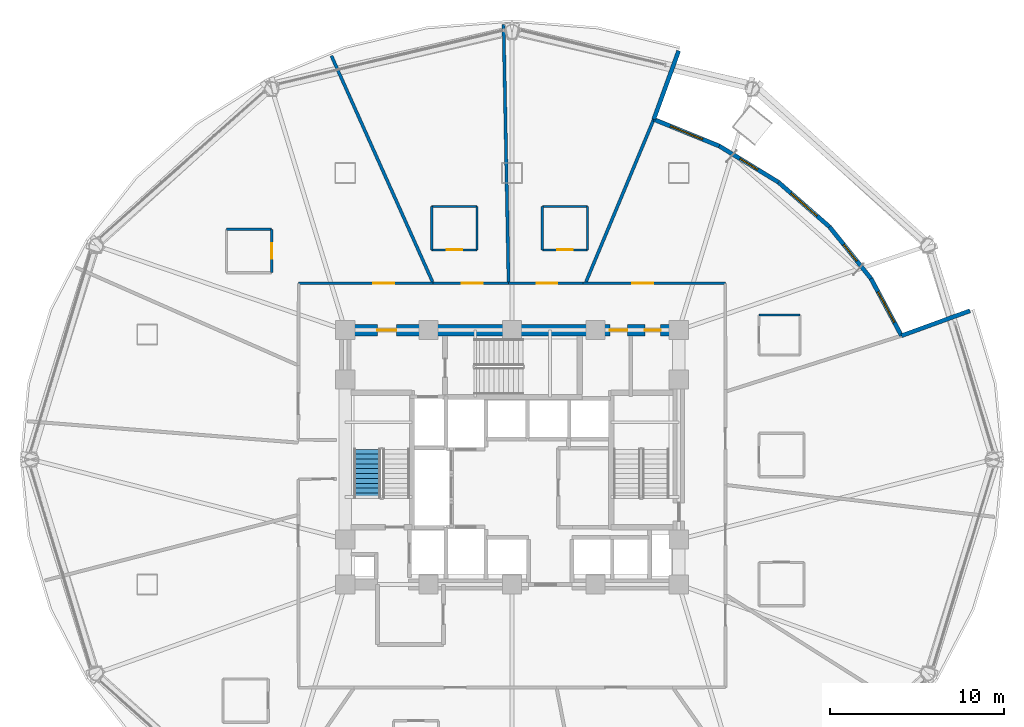
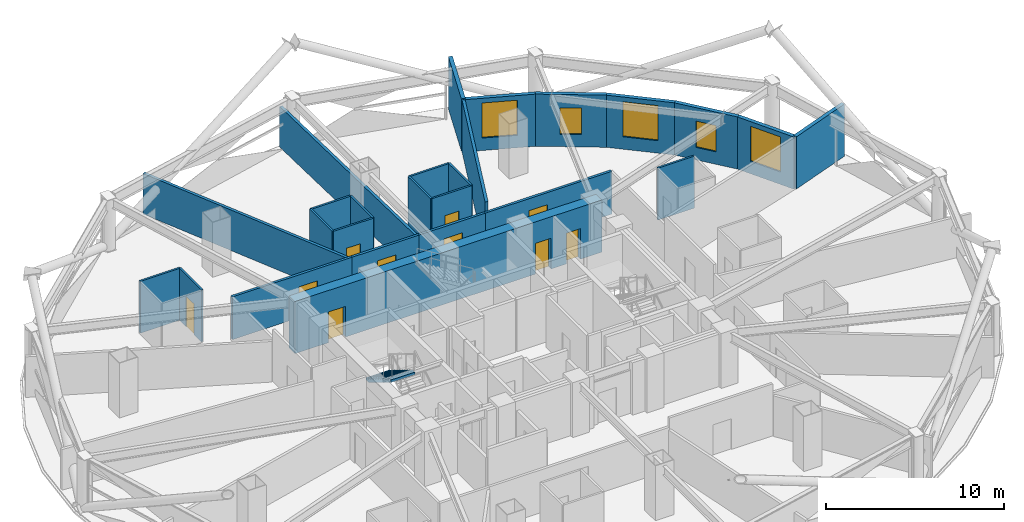
# One storey, part 27 of 33: 26 walls, 10 doors, 5 windows, 1 stair flight, 15 openings, 1 element without a shape of its own.
"""IFC4 building model written with IfcOpenShell, lengths in metres."""

from ifc_helpers import new_model, si_unit, direction, frame, frame_2d, origin, place, context, subcontext, project, spatial, polyline, rectangle, outline, extrude, material, layer, layer_set, type_object, element, fill, aggregate, save


model = new_model("IFC4")

# Units and contexts
model_context = context("Model", 3, precision=1e-05, world=origin(), true_north=direction((0.0, 1.0)))
body_context = subcontext(model_context, "Body", "Model", "MODEL_VIEW")
ifc_project = project(units=[si_unit("LENGTHUNIT", "METRE"), si_unit("AREAUNIT", "SQUARE_METRE"), si_unit("VOLUMEUNIT", "CUBIC_METRE"), si_unit("PLANEANGLEUNIT", "RADIAN"), si_unit("MASSUNIT", "GRAM", prefix="KILO")], contexts=[model_context])

# Site, building, storey
site_placement = place(None, origin())
site = spatial("IfcSite", under=ifc_project, at=site_placement, CompositionType="ELEMENT")
building_placement = place(site_placement, origin())
building = spatial("IfcBuilding", under=site, at=building_placement, Name="Vantalir Tower", CompositionType="ELEMENT")
storey_placement = place(building_placement, frame((0.0, 0.0, 72.0)))
storey = spatial("IfcBuildingStorey", under=building, at=storey_placement, Name="L17", CompositionType="ELEMENT", Elevation=72.0)

# Wall
ifc_material_1 = material(Name="Moisture-resistant en-suite partition", Category="gypsum")
ifc_layer_1 = layer(ifc_material_1, 0.125)
ifc_layer_set_1 = layer_set([ifc_layer_1], Name="Moisture-resistant en-suite partition")
wall_type_1 = type_object("IfcWallType", Name="WL-BATH-125", PredefinedType="PARTITIONING", material=ifc_layer_set_1)
wall_1_placement = place(storey_placement, frame((45.721923828125, 33.323974609375, 0.0), z_axis=(0.0, 0.0, 1.0), x_axis=(1.0, 0.0, 0.0)))
element("IfcWall", 1, at=wall_1_placement, inside=storey, type_object=wall_type_1, Name="L17 En-suite 01 North Wall", PredefinedType="PARTITIONING", context=body_context, shape_type="SweptSolid", body=[
    extrude(rectangle(XDim=2.35009765625, YDim=0.125, at=frame_2d((1.175048828125, 0.0))), origin(), (0.0, 0.0, 1.0), 3.550048828125),
])

# Wall, opening, door
wall_2_placement = place(storey_placement, frame((33.242919921875, 37.069091796875, 0.0), z_axis=(0.0, 0.0, 1.0), x_axis=(1.0, 0.0, 0.0)))
wall_2 = element("IfcWall", 2, at=wall_2_placement, inside=storey, type_object=wall_type_1, Name="L17 En-suite 02 South Wall", PredefinedType="PARTITIONING", context=body_context, shape_type="SweptSolid", body=[
    extrude(rectangle(XDim=2.60009765625, YDim=0.125, at=frame_2d((1.300048828125, 0.0))), origin(), (0.0, 0.0, 1.0), 3.550048828125),
])
opening_1_placement = place(wall_2_placement, frame((0.85009765625, 0.0, 0.0)))
opening_1 = element("IfcOpeningElement", 3, at=opening_1_placement, cuts=wall_2, Name="Opening D-WC", PredefinedType="OPENING", context=body_context, shape_type="SweptSolid", body=[
    extrude(rectangle(XDim=0.89990234375, YDim=2.10009765625, at=frame_2d((0.449951171875, 1.050048828125))), frame((0.0, 0.072509765625, 0.0), z_axis=(0.0, -1.0, 0.0), x_axis=(1.0, 0.0, 0.0)), (0.0, 0.0, 1.0), 0.14501953125),
])
ifc_material_2 = material(Name="Moisture-resistant hardwood door", Category="wood")
door_type_1 = type_object("IfcDoorType", Name="DR-ENSUITE-900", OperationType="NOTDEFINED", PredefinedType="DOOR", material=ifc_material_2)
door_1_placement = place(opening_1_placement, origin())
door_1 = element("IfcDoor", 4, at=door_1_placement, inside=storey, type_object=door_type_1, Name="L17 En-suite 02 Door", OperationType="SINGLE_SWING_RIGHT", OverallHeight=2.10009765625, OverallWidth=0.89990234375, PredefinedType="DOOR", context=body_context, shape_type="SweptSolid", body=[
    extrude(rectangle(XDim=0.89990234375, YDim=2.10009765625, at=frame_2d((0.449951171875, 1.050048828125))), frame((0.0, 0.02490234375, 0.0), z_axis=(0.0, -1.0, 0.0), x_axis=(1.0, 0.0, 0.0)), (0.0, 0.0, 1.0), 0.050048828125),
])
fill(opening_1, door_1)

# Walls
wall_3_placement = place(storey_placement, frame((33.242919921875, 39.569091796875, 0.0), z_axis=(0.0, 0.0, 1.0), x_axis=(1.0, 0.0, 0.0)))
element("IfcWall", 5, at=wall_3_placement, inside=storey, type_object=wall_type_1, Name="L17 En-suite 02 North Wall", PredefinedType="PARTITIONING", context=body_context, shape_type="SweptSolid", body=[
    extrude(rectangle(XDim=2.60009765625, YDim=0.125, at=frame_2d((1.300048828125, 0.0))), origin(), (0.0, 0.0, 1.0), 3.550048828125),
])
for number, where, z_axis, x_axis, name in (
    (6, (33.242919921875, 37.069091796875, 0.0), (0.0, 0.0, 1.0), (0.0, 1.0, 0.0), "L17 En-suite 02 West Wall"),
    (7, (35.843017578125, 37.069091796875, 0.0), (0.0, 0.0, 1.0), (0.0, 1.0, 0.0), "L17 En-suite 02 East Wall"),
):
    element("IfcWall", number, at=place(storey_placement, frame(where, z_axis=z_axis, x_axis=x_axis)), inside=storey, type_object=wall_type_1, Name=name, PredefinedType="PARTITIONING", context=body_context, shape_type="SweptSolid", body=[
        extrude(rectangle(XDim=2.5, YDim=0.125, at=frame_2d((1.25, 0.0))), origin(), (0.0, 0.0, 1.0), 3.550048828125),
    ])

# Wall, opening, door
wall_4_placement = place(storey_placement, frame((26.8798828125, 37.069091796875, 0.0), z_axis=(0.0, 0.0, 1.0), x_axis=(1.0, 0.0, 0.0)))
wall_4 = element("IfcWall", 8, at=wall_4_placement, inside=storey, type_object=wall_type_1, Name="L17 En-suite 03 South Wall", PredefinedType="PARTITIONING", context=body_context, shape_type="SweptSolid", body=[
    extrude(rectangle(XDim=2.60009765625, YDim=0.125, at=frame_2d((1.300048828125, 0.0))), origin(), (0.0, 0.0, 1.0), 3.550048828125),
])
opening_2_placement = place(wall_4_placement, frame((0.85009765625, 0.0, 0.0)))
opening_2 = element("IfcOpeningElement", 9, at=opening_2_placement, cuts=wall_4, Name="Opening D-WC", PredefinedType="OPENING", context=body_context, shape_type="SweptSolid", body=[
    extrude(rectangle(XDim=0.89990234375, YDim=2.10009765625, at=frame_2d((0.449951171875, 1.050048828125))), frame((0.0, 0.072509765625, 0.0), z_axis=(0.0, -1.0, 0.0), x_axis=(1.0, 0.0, 0.0)), (0.0, 0.0, 1.0), 0.14501953125),
])
door_2_placement = place(opening_2_placement, origin())
door_2 = element("IfcDoor", 10, at=door_2_placement, inside=storey, type_object=door_type_1, Name="L17 En-suite 03 Door", OperationType="SINGLE_SWING_LEFT", OverallHeight=2.10009765625, OverallWidth=0.89990234375, PredefinedType="DOOR", context=body_context, shape_type="SweptSolid", body=[
    extrude(rectangle(XDim=0.89990234375, YDim=2.10009765625, at=frame_2d((0.449951171875, 1.050048828125))), frame((0.0, 0.02490234375, 0.0), z_axis=(0.0, -1.0, 0.0), x_axis=(1.0, 0.0, 0.0)), (0.0, 0.0, 1.0), 0.050048828125),
])
fill(opening_2, door_2)

# Walls
wall_5_placement = place(storey_placement, frame((26.8798828125, 39.569091796875, 0.0), z_axis=(0.0, 0.0, 1.0), x_axis=(1.0, 0.0, 0.0)))
element("IfcWall", 11, at=wall_5_placement, inside=storey, type_object=wall_type_1, Name="L17 En-suite 03 North Wall", PredefinedType="PARTITIONING", context=body_context, shape_type="SweptSolid", body=[
    extrude(rectangle(XDim=2.60009765625, YDim=0.125, at=frame_2d((1.300048828125, 0.0))), origin(), (0.0, 0.0, 1.0), 3.550048828125),
])
for number, where, z_axis, x_axis, name in (
    (12, (26.8798828125, 37.069091796875, 0.0), (0.0, 0.0, 1.0), (0.0, 1.0, 0.0), "L17 En-suite 03 West Wall"),
    (13, (29.47998046875, 37.069091796875, 0.0), (0.0, 0.0, 1.0), (0.0, 1.0, 0.0), "L17 En-suite 03 East Wall"),
):
    element("IfcWall", number, at=place(storey_placement, frame(where, z_axis=z_axis, x_axis=x_axis)), inside=storey, type_object=wall_type_1, Name=name, PredefinedType="PARTITIONING", context=body_context, shape_type="SweptSolid", body=[
        extrude(rectangle(XDim=2.5, YDim=0.125, at=frame_2d((1.25, 0.0))), origin(), (0.0, 0.0, 1.0), 3.550048828125),
    ])
wall_6_placement = place(storey_placement, frame((15.06591796875, 38.2548828125, 0.0), z_axis=(0.0, 0.0, 1.0), x_axis=(1.0, 0.0, 0.0)))
element("IfcWall", 14, at=wall_6_placement, inside=storey, type_object=wall_type_1, Name="L17 En-suite 04 North Wall", PredefinedType="PARTITIONING", context=body_context, shape_type="SweptSolid", body=[
    extrude(rectangle(XDim=2.60009765625, YDim=0.125, at=frame_2d((1.300048828125, 0.0))), origin(), (0.0, 0.0, 1.0), 3.550048828125),
])

# Wall, opening, door
wall_7_placement = place(storey_placement, frame((17.666015625, 35.7548828125, 0.0), z_axis=(0.0, 0.0, 1.0), x_axis=(0.0, 1.0, 0.0)))
wall_7 = element("IfcWall", 15, at=wall_7_placement, inside=storey, type_object=wall_type_1, Name="L17 En-suite 04 East Wall", PredefinedType="PARTITIONING", context=body_context, shape_type="SweptSolid", body=[
    extrude(rectangle(XDim=2.5, YDim=0.125, at=frame_2d((1.25, 0.0))), origin(), (0.0, 0.0, 1.0), 3.550048828125),
])
opening_3_placement = place(wall_7_placement, frame((0.800048828125, 0.0, 0.0)))
opening_3 = element("IfcOpeningElement", 16, at=opening_3_placement, cuts=wall_7, Name="Opening D-WC", PredefinedType="OPENING", context=body_context, shape_type="SweptSolid", body=[
    extrude(rectangle(XDim=0.89990234375, YDim=2.10009765625, at=frame_2d((0.449951171875, 1.050048828125))), frame((0.0, 0.072509765625, 0.0), z_axis=(0.0, -1.0, 0.0), x_axis=(1.0, 0.0, 0.0)), (0.0, 0.0, 1.0), 0.14501953125),
])
door_3_placement = place(opening_3_placement, origin())
door_3 = element("IfcDoor", 17, at=door_3_placement, inside=storey, type_object=door_type_1, Name="L17 En-suite 04 Door", OperationType="SINGLE_SWING_RIGHT", OverallHeight=2.10009765625, OverallWidth=0.89990234375, PredefinedType="DOOR", context=body_context, shape_type="SweptSolid", body=[
    extrude(rectangle(XDim=0.89990234375, YDim=2.10009765625, at=frame_2d((0.449951171875, 1.050048828125))), frame((0.0, 0.02490234375, 0.0), z_axis=(0.0, -1.0, 0.0), x_axis=(1.0, 0.0, 0.0)), (0.0, 0.0, 1.0), 0.050048828125),
])
fill(opening_3, door_3)

# Wall, openings, doors
ifc_material_3 = material(Name="Concrete C60/75", Category="concrete")
ifc_layer_2 = layer(ifc_material_3, 0.64990234375)
ifc_layer_set_2 = layer_set([ifc_layer_2], Name="Concrete C60/75")
wall_type_2 = type_object("IfcWallType", Name="WL-CORE-650", PredefinedType="SHEAR", material=ifc_layer_set_2)
wall_8_placement = place(storey_placement, frame((21.574951171875, 32.449951171875, 0.0), z_axis=(0.0, 0.0, 1.0), x_axis=(1.0, 0.0, 0.0)))
wall_8 = element("IfcWall", 18, at=wall_8_placement, inside=storey, type_object=wall_type_2, Name="L17 Core Shear Wall North", PredefinedType="SHEAR", context=body_context, shape_type="SweptSolid", body=[
    extrude(rectangle(XDim=19.85009765625, YDim=0.64990234375, at=frame_2d((9.925048828125, 0.0))), origin(), (0.0, 0.0, 1.0), 3.570068359375),
])
opening_4_placement = place(wall_8_placement, frame((2.175048828125, 0.0, 0.0)))
opening_4 = element("IfcOpeningElement", 19, at=opening_4_placement, cuts=wall_8, Name="Opening D-FFL", PredefinedType="OPENING", context=body_context, shape_type="SweptSolid", body=[
    extrude(rectangle(XDim=1.10009765625, YDim=2.10009765625, at=frame_2d((0.550048828125, 1.050048828125))), frame((0.0, 0.3349609375, 0.0), z_axis=(0.0, -1.0, 0.0), x_axis=(1.0, 0.0, 0.0)), (0.0, 0.0, 1.0), 0.669921875),
])
opening_5_placement = place(wall_8_placement, frame((15.56494140625, 0.0, 0.0)))
opening_5 = element("IfcOpeningElement", 20, at=opening_5_placement, cuts=wall_8, Name="Opening D-GUEST", PredefinedType="OPENING", context=body_context, shape_type="SweptSolid", body=[
    extrude(rectangle(XDim=1.0, YDim=2.10009765625, at=frame_2d((0.5, 1.050048828125))), frame((0.0, 0.3349609375, 0.0), z_axis=(0.0, -1.0, 0.0), x_axis=(1.0, 0.0, 0.0)), (0.0, 0.0, 1.0), 0.669921875),
])
opening_6_placement = place(wall_8_placement, frame((17.574951171875, 0.0, 0.0)))
opening_6 = element("IfcOpeningElement", 21, at=opening_6_placement, cuts=wall_8, Name="Opening D-CR", PredefinedType="OPENING", context=body_context, shape_type="SweptSolid", body=[
    extrude(rectangle(XDim=0.89990234375, YDim=2.10009765625, at=frame_2d((0.449951171875, 1.050048828125))), frame((0.0, 0.3349609375, 0.0), z_axis=(0.0, -1.0, 0.0), x_axis=(1.0, 0.0, 0.0)), (0.0, 0.0, 1.0), 0.669921875),
])
ifc_material_4 = material(Name="Fire-rated steel core service door", Category="steel")
door_type_2 = type_object("IfcDoorType", Name="DR-CORE-SERV-900", OperationType="NOTDEFINED", PredefinedType="DOOR", material=ifc_material_4)
door_4_placement = place(opening_6_placement, frame((0.89990234375, 0.0, 0.0), z_axis=(0.0, 0.0, 1.0), x_axis=(-1.0, 0.0, 0.0)))
door_4 = element("IfcDoor", 22, at=door_4_placement, inside=storey, type_object=door_type_2, Name="L17 Housekeeping and Linen Room Door", OperationType="SINGLE_SWING_RIGHT", OverallHeight=2.10009765625, OverallWidth=0.89990234375, PredefinedType="DOOR", context=body_context, shape_type="SweptSolid", body=[
    extrude(rectangle(XDim=0.89990234375, YDim=2.10009765625, at=frame_2d((0.449951171875, 1.050048828125))), frame((0.0, 0.02490234375, 0.0), z_axis=(0.0, -1.0, 0.0), x_axis=(1.0, 0.0, 0.0)), (0.0, 0.0, 1.0), 0.050048828125),
])
fill(opening_6, door_4)
ifc_material_5 = material(Name="Fire-rated acoustic steel door", Category="steel")
door_type_3 = type_object("IfcDoorType", Name="DR-FIRE-LOBBY-1100", OperationType="NOTDEFINED", PredefinedType="DOOR", material=ifc_material_5)
door_5_placement = place(opening_4_placement, frame((1.10009765625, 0.0, 0.0), z_axis=(0.0, 0.0, 1.0), x_axis=(-1.0, 0.0, 0.0)))
door_5 = element("IfcDoor", 23, at=door_5_placement, inside=storey, type_object=door_type_3, Name="L17 Firefighting Lobby East Access Door", OperationType="SINGLE_SWING_LEFT", OverallHeight=2.10009765625, OverallWidth=1.10009765625, PredefinedType="DOOR", context=body_context, shape_type="SweptSolid", body=[
    extrude(rectangle(XDim=1.10009765625, YDim=2.10009765625, at=frame_2d((0.550048828125, 1.050048828125))), frame((0.0, 0.02490234375, 0.0), z_axis=(0.0, -1.0, 0.0), x_axis=(1.0, 0.0, 0.0)), (0.0, 0.0, 1.0), 0.050048828125),
])
fill(opening_4, door_5)
ifc_material_6 = material(Name="Solid-core teak veneer acoustic fire door", Category="wood")
door_type_4 = type_object("IfcDoorType", Name="DR-GUEST-ENTRY-1000", OperationType="NOTDEFINED", PredefinedType="DOOR", material=ifc_material_6)
door_6_placement = place(opening_5_placement, frame((1.0, 0.0, 0.0), z_axis=(0.0, 0.0, 1.0), x_axis=(-1.0, 0.0, 0.0)))
door_6 = element("IfcDoor", 24, at=door_6_placement, inside=storey, type_object=door_type_4, Name="L17 High-Rise Lift Lobby Door", OperationType="SINGLE_SWING_LEFT", OverallHeight=2.10009765625, OverallWidth=1.0, PredefinedType="DOOR", context=body_context, shape_type="SweptSolid", body=[
    extrude(rectangle(XDim=1.0, YDim=2.10009765625, at=frame_2d((0.5, 1.050048828125))), frame((0.0, 0.02490234375, 0.0), z_axis=(0.0, -1.0, 0.0), x_axis=(1.0, 0.0, 0.0)), (0.0, 0.0, 1.0), 0.050048828125),
])
fill(opening_5, door_6)

# Wall, opening, door
ifc_material_7 = material(Name="Fire-rated hotel corridor acoustic partition", Category="gypsum")
ifc_layer_3 = layer(ifc_material_7, 0.159912109375)
ifc_layer_set_3 = layer_set([ifc_layer_3], Name="Fire-rated hotel corridor acoustic partition")
wall_type_3 = type_object("IfcWallType", Name="WL-CORR-160", PredefinedType="PARTITIONING", material=ifc_layer_set_3)
wall_9_placement = place(storey_placement, frame((19.218994140625, 35.14794921875, 0.0), z_axis=(0.0, 0.0, 1.0), x_axis=(1.0, 0.0, 0.0)))
wall_9 = element("IfcWall", 25, at=wall_9_placement, inside=storey, type_object=wall_type_3, Name="L17 Corridor Partition 04", PredefinedType="PARTITIONING", context=body_context, shape_type="SweptSolid", body=[
    extrude(rectangle(XDim=7.740966796875, YDim=0.159912109375, at=frame_2d((3.87060546875, 0.0))), origin(), (0.0, 0.0, 1.0), 2.927978515625),
])
opening_7_placement = place(wall_9_placement, frame((4.306884765625, 0.0, 0.0)))
opening_7 = element("IfcOpeningElement", 26, at=opening_7_placement, cuts=wall_9, Name="Opening D-STE", PredefinedType="OPENING", context=body_context, shape_type="SweptSolid", body=[
    extrude(rectangle(XDim=1.199951171875, YDim=2.10009765625, at=frame_2d((0.60009765625, 1.050048828125))), frame((0.0, 0.08984375, 0.0), z_axis=(0.0, -1.0, 0.0), x_axis=(1.0, 0.0, 0.0)), (0.0, 0.0, 1.0), 0.179931640625),
])
ifc_material_8 = material(Name="Solid-core teak veneer suite entrance door", Category="wood")
door_type_5 = type_object("IfcDoorType", Name="DR-SUITE-ENTRY-1200", OperationType="NOTDEFINED", PredefinedType="DOOR", material=ifc_material_8)
door_7_placement = place(opening_7_placement, origin())
door_7 = element("IfcDoor", 27, at=door_7_placement, inside=storey, type_object=door_type_5, Name="L17 Executive Club Hotel Suite 04 Door", OperationType="SINGLE_SWING_RIGHT", OverallHeight=2.10009765625, OverallWidth=1.199951171875, PredefinedType="DOOR", context=body_context, shape_type="SweptSolid", body=[
    extrude(rectangle(XDim=1.199951171875, YDim=2.10009765625, at=frame_2d((0.60009765625, 1.050048828125))), frame((0.0, 0.02490234375, 0.0), z_axis=(0.0, -1.0, 0.0), x_axis=(1.0, 0.0, 0.0)), (0.0, 0.0, 1.0), 0.050048828125),
])
fill(opening_7, door_7)

wall_10_placement = place(storey_placement, frame((26.9599609375, 35.14794921875, 0.0), z_axis=(0.0, 0.0, 1.0), x_axis=(1.0, 0.0, 0.0)))
wall_10 = element("IfcWall", 28, at=wall_10_placement, inside=storey, type_object=wall_type_3, Name="L17 Corridor Partition 05", PredefinedType="PARTITIONING", context=body_context, shape_type="SweptSolid", body=[
    extrude(rectangle(XDim=4.343994140625, YDim=0.159912109375, at=frame_2d((2.171875, 0.0))), origin(), (0.0, 0.0, 1.0), 2.927978515625),
])
opening_8_placement = place(wall_10_placement, frame((1.64599609375, 0.0, 0.0)))
opening_8 = element("IfcOpeningElement", 29, at=opening_8_placement, cuts=wall_10, Name="Opening D-STE", PredefinedType="OPENING", context=body_context, shape_type="SweptSolid", body=[
    extrude(rectangle(XDim=1.199951171875, YDim=2.10009765625, at=frame_2d((0.60009765625, 1.050048828125))), frame((0.0, 0.08984375, 0.0), z_axis=(0.0, -1.0, 0.0), x_axis=(1.0, 0.0, 0.0)), (0.0, 0.0, 1.0), 0.179931640625),
])
door_8_placement = place(opening_8_placement, origin())
door_8 = element("IfcDoor", 30, at=door_8_placement, inside=storey, type_object=door_type_5, Name="L17 Executive Club Hotel Suite 03 Door", OperationType="SINGLE_SWING_LEFT", OverallHeight=2.10009765625, OverallWidth=1.199951171875, PredefinedType="DOOR", context=body_context, shape_type="SweptSolid", body=[
    extrude(rectangle(XDim=1.199951171875, YDim=2.10009765625, at=frame_2d((0.60009765625, 1.050048828125))), frame((0.0, 0.02490234375, 0.0), z_axis=(0.0, -1.0, 0.0), x_axis=(1.0, 0.0, 0.0)), (0.0, 0.0, 1.0), 0.050048828125),
])
fill(opening_8, door_8)

wall_11_placement = place(storey_placement, frame((31.303955078125, 35.14794921875, 0.0), z_axis=(0.0, 0.0, 1.0), x_axis=(1.0, 0.0, 0.0)))
wall_11 = element("IfcWall", 31, at=wall_11_placement, inside=storey, type_object=wall_type_3, Name="L17 Corridor Partition 06", PredefinedType="PARTITIONING", context=body_context, shape_type="SweptSolid", body=[
    extrude(rectangle(XDim=4.28515625, YDim=0.159912109375, at=frame_2d((2.142578125, 0.0))), origin(), (0.0, 0.0, 1.0), 2.927978515625),
])
opening_9_placement = place(wall_11_placement, frame((1.614990234375, 0.0, 0.0)))
opening_9 = element("IfcOpeningElement", 32, at=opening_9_placement, cuts=wall_11, Name="Opening D-STE", PredefinedType="OPENING", context=body_context, shape_type="SweptSolid", body=[
    extrude(rectangle(XDim=1.199951171875, YDim=2.10009765625, at=frame_2d((0.60009765625, 1.050048828125))), frame((0.0, 0.08984375, 0.0), z_axis=(0.0, -1.0, 0.0), x_axis=(1.0, 0.0, 0.0)), (0.0, 0.0, 1.0), 0.179931640625),
])
door_9_placement = place(opening_9_placement, origin())
door_9 = element("IfcDoor", 33, at=door_9_placement, inside=storey, type_object=door_type_5, Name="L17 Corner Panorama Hotel Suite 02 Door", OperationType="SINGLE_SWING_RIGHT", OverallHeight=2.10009765625, OverallWidth=1.199951171875, PredefinedType="DOOR", context=body_context, shape_type="SweptSolid", body=[
    extrude(rectangle(XDim=1.199951171875, YDim=2.10009765625, at=frame_2d((0.60009765625, 1.050048828125))), frame((0.0, 0.02490234375, 0.0), z_axis=(0.0, -1.0, 0.0), x_axis=(1.0, 0.0, 0.0)), (0.0, 0.0, 1.0), 0.050048828125),
])
fill(opening_9, door_9)

wall_12_placement = place(storey_placement, frame((35.589111328125, 35.14794921875, 0.0), z_axis=(0.0, 0.0, 1.0), x_axis=(1.0, 0.0, 0.0)))
wall_12 = element("IfcWall", 34, at=wall_12_placement, inside=storey, type_object=wall_type_3, Name="L17 Corridor Partition 07", PredefinedType="PARTITIONING", context=body_context, shape_type="SweptSolid", body=[
    extrude(rectangle(XDim=8.19189453125, YDim=0.159912109375, at=frame_2d((4.095947265625, 0.0))), origin(), (0.0, 0.0, 1.0), 2.927978515625),
])
opening_10_placement = place(wall_12_placement, frame((2.8291015625, 0.0, 0.0)))
opening_10 = element("IfcOpeningElement", 35, at=opening_10_placement, cuts=wall_12, Name="Opening D-STE", PredefinedType="OPENING", context=body_context, shape_type="SweptSolid", body=[
    extrude(rectangle(XDim=1.199951171875, YDim=2.10009765625, at=frame_2d((0.60009765625, 1.050048828125))), frame((0.0, 0.08984375, 0.0), z_axis=(0.0, -1.0, 0.0), x_axis=(1.0, 0.0, 0.0)), (0.0, 0.0, 1.0), 0.179931640625),
])
door_10_placement = place(opening_10_placement, origin())
door_10 = element("IfcDoor", 36, at=door_10_placement, inside=storey, type_object=door_type_5, Name="L17 Corner Panorama Hotel Suite 01 Door", OperationType="SINGLE_SWING_LEFT", OverallHeight=2.10009765625, OverallWidth=1.199951171875, PredefinedType="DOOR", context=body_context, shape_type="SweptSolid", body=[
    extrude(rectangle(XDim=1.199951171875, YDim=2.10009765625, at=frame_2d((0.60009765625, 1.050048828125))), frame((0.0, 0.02490234375, 0.0), z_axis=(0.0, -1.0, 0.0), x_axis=(1.0, 0.0, 0.0)), (0.0, 0.0, 1.0), 0.050048828125),
])
fill(opening_10, door_10)

# Walls
ifc_material_9 = material(Name="Precast concrete C40/50 insulated sky-garden wall", Category="concrete")
ifc_layer_4 = layer(ifc_material_9, 0.239990234375)
ifc_layer_set_4 = layer_set([ifc_layer_4], Name="Precast concrete C40/50 insulated sky-garden wall")
wall_type_4 = type_object("IfcWallType", Name="WL-EXT-SG-240", PredefinedType="SOLIDWALL", material=ifc_layer_set_4)
wall_13_placement = place(storey_placement, frame((57.867919921875, 33.56396484375, 0.0), z_axis=(0.0, 0.0, 1.0), x_axis=(-0.939660987195, -0.342107043399, 0.0)))
element("IfcWall", 37, at=wall_13_placement, inside=storey, type_object=wall_type_4, Name="L17 SG1 Sky-Garden Return Wall A", PredefinedType="SOLIDWALL", context=body_context, shape_type="SweptSolid", body=[
    extrude(rectangle(XDim=4.200439453125, YDim=0.239990234375, at=frame_2d((2.10009765625, 0.0))), origin(), (0.0, 0.0, 1.0), 3.570068359375),
])
wall_14_placement = place(storey_placement, frame((39.660888671875, 44.58203125, 0.0), z_axis=(0.0, 0.0, 1.0), x_axis=(0.341901740091, 0.939735707592, 0.0)))
element("IfcWall", 38, at=wall_14_placement, inside=storey, type_object=wall_type_4, Name="L17 SG1 Sky-Garden Return Wall B", PredefinedType="SOLIDWALL", context=body_context, shape_type="SweptSolid", body=[
    extrude(rectangle(XDim=4.2001953125, YDim=0.239990234375, at=frame_2d((2.10009765625, 0.0))), origin(), (0.0, 0.0, 1.0), 3.570068359375),
])

# Wall, opening, window
wall_15_placement = place(storey_placement, frame((53.9208984375, 32.126953125, 0.0), z_axis=(0.0, 0.0, 1.0), x_axis=(-0.471022801321, 0.88212103514, 0.0)))
wall_15 = element("IfcWall", 39, at=wall_15_placement, inside=storey, type_object=wall_type_4, Name="L17 SG1 Sky-Garden Lounge Wall 1", PredefinedType="SOLIDWALL", context=body_context, shape_type="SweptSolid", body=[
    extrude(rectangle(XDim=3.73193359375, YDim=0.239990234375, at=frame_2d((1.865966796875, 0.0))), origin(), (0.0, 0.0, 1.0), 3.570068359375),
])
opening_11_placement = place(wall_15_placement, frame((0.865966796875, 0.0, 0.85009765625)))
opening_11 = element("IfcOpeningElement", 40, at=opening_11_placement, cuts=wall_15, Name="Opening WN-3", PredefinedType="OPENING", context=body_context, shape_type="SweptSolid", body=[
    extrude(rectangle(XDim=2.0, YDim=2.39990234375, at=frame_2d((1.0, 1.199951171875))), frame((0.0, 0.1298828125, 0.0), z_axis=(0.0, -1.0, 0.0), x_axis=(1.0, 0.0, 0.0)), (0.0, 0.0, 1.0), 0.260009765625),
])
ifc_material_10 = material(Name="Double-silver Low-E sky-garden lounge window", Category="glass")
window_type_1 = type_object("IfcWindowType", Name="WIN-SG-2000x2400", PartitioningType="SINGLE_PANEL", PredefinedType="WINDOW", material=ifc_material_10)
window_1_placement = place(opening_11_placement, origin())
window_1 = element("IfcWindow", 41, at=window_1_placement, inside=storey, type_object=window_type_1, Name="L17 SG1 Sky-Garden Window 1", OverallHeight=2.39990234375, OverallWidth=2.0, PartitioningType="SINGLE_PANEL", PredefinedType="WINDOW", context=body_context, shape_type="SweptSolid", body=[
    extrude(rectangle(XDim=2.0, YDim=2.39990234375, at=frame_2d((1.0, 1.199951171875))), frame((0.0, 0.030029296875, 0.0), z_axis=(0.0, -1.0, 0.0), x_axis=(1.0, 0.0, 0.0)), (0.0, 0.0, 1.0), 0.06005859375),
])
fill(opening_11, window_1)

wall_16_placement = place(storey_placement, frame((52.1630859375, 35.4189453125, 0.0), z_axis=(0.0, 0.0, 1.0), x_axis=(-0.625358387722, 0.780337674924, 0.0)))
wall_16 = element("IfcWall", 42, at=wall_16_placement, inside=storey, type_object=wall_type_4, Name="L17 SG1 Sky-Garden Lounge Wall 2", PredefinedType="SOLIDWALL", context=body_context, shape_type="SweptSolid", body=[
    extrude(rectangle(XDim=3.813720703125, YDim=0.239990234375, at=frame_2d((1.90673828125, 0.0))), origin(), (0.0, 0.0, 1.0), 3.570068359375),
])
opening_12_placement = place(wall_16_placement, frame((1.306884765625, 0.0, 0.85009765625)))
opening_12 = element("IfcOpeningElement", 43, at=opening_12_placement, cuts=wall_16, Name="Opening WN-4", PredefinedType="OPENING", context=body_context, shape_type="SweptSolid", body=[
    extrude(rectangle(XDim=1.199951171875, YDim=1.800048828125, at=frame_2d((0.60009765625, 0.89990234375))), frame((0.0, 0.1298828125, 0.0), z_axis=(0.0, -1.0, 0.0), x_axis=(1.0, 0.0, 0.0)), (0.0, 0.0, 1.0), 0.260009765625),
])
ifc_material_11 = material(Name="Operable smoke-vent Low-E window", Category="glass")
window_type_2 = type_object("IfcWindowType", Name="WIN-SG-1200x1800", PartitioningType="SINGLE_PANEL", PredefinedType="WINDOW", material=ifc_material_11)
window_2_placement = place(opening_12_placement, origin())
window_2 = element("IfcWindow", 44, at=window_2_placement, inside=storey, type_object=window_type_2, Name="L17 SG1 Sky-Garden Window 2", OverallHeight=1.800048828125, OverallWidth=1.199951171875, PartitioningType="SINGLE_PANEL", PredefinedType="WINDOW", context=body_context, shape_type="SweptSolid", body=[
    extrude(rectangle(XDim=1.199951171875, YDim=1.800048828125, at=frame_2d((0.60009765625, 0.89990234375))), frame((0.0, 0.030029296875, 0.0), z_axis=(0.0, -1.0, 0.0), x_axis=(1.0, 0.0, 0.0)), (0.0, 0.0, 1.0), 0.06005859375),
])
fill(opening_12, window_2)

wall_17_placement = place(storey_placement, frame((49.778076171875, 38.39501953125, 0.0), z_axis=(0.0, 0.0, 1.0), x_axis=(-0.753137964346, 0.657862604699, 0.0)))
wall_17 = element("IfcWall", 45, at=wall_17_placement, inside=storey, type_object=wall_type_4, Name="L17 SG1 Sky-Garden Lounge Wall 3", PredefinedType="SOLIDWALL", context=body_context, shape_type="SweptSolid", body=[
    extrude(rectangle(XDim=3.9052734375, YDim=0.239990234375, at=frame_2d((1.95263671875, 0.0))), origin(), (0.0, 0.0, 1.0), 3.570068359375),
])
opening_13_placement = place(wall_17_placement, frame((0.952880859375, 0.0, 0.85009765625)))
opening_13 = element("IfcOpeningElement", 46, at=opening_13_placement, cuts=wall_17, Name="Opening WN-3", PredefinedType="OPENING", context=body_context, shape_type="SweptSolid", body=[
    extrude(rectangle(XDim=2.0, YDim=2.39990234375, at=frame_2d((1.0, 1.199951171875))), frame((0.0, 0.1298828125, 0.0), z_axis=(0.0, -1.0, 0.0), x_axis=(1.0, 0.0, 0.0)), (0.0, 0.0, 1.0), 0.260009765625),
])
window_3_placement = place(opening_13_placement, origin())
window_3 = element("IfcWindow", 47, at=window_3_placement, inside=storey, type_object=window_type_1, Name="L17 SG1 Sky-Garden Window 3", OverallHeight=2.39990234375, OverallWidth=2.0, PartitioningType="SINGLE_PANEL", PredefinedType="WINDOW", context=body_context, shape_type="SweptSolid", body=[
    extrude(rectangle(XDim=2.0, YDim=2.39990234375, at=frame_2d((1.0, 1.199951171875))), frame((0.0, 0.030029296875, 0.0), z_axis=(0.0, -1.0, 0.0), x_axis=(1.0, 0.0, 0.0)), (0.0, 0.0, 1.0), 0.06005859375),
])
fill(opening_13, window_3)

wall_18_placement = place(storey_placement, frame((46.8369140625, 40.964111328125, 0.0), z_axis=(0.0, 0.0, 1.0), x_axis=(-0.853174515751, 0.521625579964, 0.0)))
wall_18 = element("IfcWall", 48, at=wall_18_placement, inside=storey, type_object=wall_type_4, Name="L17 SG1 Sky-Garden Lounge Wall 4", PredefinedType="SOLIDWALL", context=body_context, shape_type="SweptSolid", body=[
    extrude(rectangle(XDim=3.993408203125, YDim=0.239990234375, at=frame_2d((1.99658203125, 0.0))), origin(), (0.0, 0.0, 1.0), 3.570068359375),
])
opening_14_placement = place(wall_18_placement, frame((1.39697265625, 0.0, 0.85009765625)))
opening_14 = element("IfcOpeningElement", 49, at=opening_14_placement, cuts=wall_18, Name="Opening WN-4", PredefinedType="OPENING", context=body_context, shape_type="SweptSolid", body=[
    extrude(rectangle(XDim=1.199951171875, YDim=1.800048828125, at=frame_2d((0.60009765625, 0.89990234375))), frame((0.0, 0.1298828125, 0.0), z_axis=(0.0, -1.0, 0.0), x_axis=(1.0, 0.0, 0.0)), (0.0, 0.0, 1.0), 0.260009765625),
])
window_4_placement = place(opening_14_placement, origin())
window_4 = element("IfcWindow", 50, at=window_4_placement, inside=storey, type_object=window_type_2, Name="L17 SG1 Sky-Garden Window 4", OverallHeight=1.800048828125, OverallWidth=1.199951171875, PartitioningType="SINGLE_PANEL", PredefinedType="WINDOW", context=body_context, shape_type="SweptSolid", body=[
    extrude(rectangle(XDim=1.199951171875, YDim=1.800048828125, at=frame_2d((0.60009765625, 0.89990234375))), frame((0.0, 0.030029296875, 0.0), z_axis=(0.0, -1.0, 0.0), x_axis=(1.0, 0.0, 0.0)), (0.0, 0.0, 1.0), 0.06005859375),
])
fill(opening_14, window_4)

wall_19_placement = place(storey_placement, frame((43.429931640625, 43.047119140625, 0.0), z_axis=(0.0, 0.0, 1.0), x_axis=(-0.926145919151, 0.377165396664, 0.0)))
wall_19 = element("IfcWall", 51, at=wall_19_placement, inside=storey, type_object=wall_type_4, Name="L17 SG1 Sky-Garden Lounge Wall 5", PredefinedType="SOLIDWALL", context=body_context, shape_type="SweptSolid", body=[
    extrude(rectangle(XDim=4.069580078125, YDim=0.239990234375, at=frame_2d((2.03466796875, 0.0))), origin(), (0.0, 0.0, 1.0), 3.570068359375),
])
opening_15_placement = place(wall_19_placement, frame((1.034912109375, 0.0, 0.85009765625)))
opening_15 = element("IfcOpeningElement", 52, at=opening_15_placement, cuts=wall_19, Name="Opening WN-3", PredefinedType="OPENING", context=body_context, shape_type="SweptSolid", body=[
    extrude(rectangle(XDim=2.0, YDim=2.39990234375, at=frame_2d((1.0, 1.199951171875))), frame((0.0, 0.1298828125, 0.0), z_axis=(0.0, -1.0, 0.0), x_axis=(1.0, 0.0, 0.0)), (0.0, 0.0, 1.0), 0.260009765625),
])
window_5_placement = place(opening_15_placement, origin())
window_5 = element("IfcWindow", 53, at=window_5_placement, inside=storey, type_object=window_type_1, Name="L17 SG1 Sky-Garden Window 5", OverallHeight=2.39990234375, OverallWidth=2.0, PartitioningType="SINGLE_PANEL", PredefinedType="WINDOW", context=body_context, shape_type="SweptSolid", body=[
    extrude(rectangle(XDim=2.0, YDim=2.39990234375, at=frame_2d((1.0, 1.199951171875))), frame((0.0, 0.030029296875, 0.0), z_axis=(0.0, -1.0, 0.0), x_axis=(1.0, 0.0, 0.0)), (0.0, 0.0, 1.0), 0.06005859375),
])
fill(opening_15, window_5)

# Walls
ifc_material_12 = material(Name="Twin-stud acoustic fire-rated gypsum partition", Category="gypsum")
ifc_layer_5 = layer(ifc_material_12, 0.179931640625)
ifc_layer_set_5 = layer_set([ifc_layer_5], Name="Twin-stud acoustic fire-rated gypsum partition")
wall_type_5 = type_object("IfcWallType", Name="WL-GUEST-180", PredefinedType="PARTITIONING", material=ifc_layer_set_5)
wall_20_placement = place(storey_placement, frame((35.761962890625, 35.22802734375, 0.0), z_axis=(0.0, 0.0, 1.0), x_axis=(0.384735124205, 0.923027022466, 0.0)))
element("IfcWall", 54, at=wall_20_placement, inside=storey, type_object=wall_type_5, Name="L17 Radial Suite Partition 02", PredefinedType="PARTITIONING", context=body_context, shape_type="SweptSolid", body=[
    extrude(rectangle(XDim=10.134033203125, YDim=0.179931640625, at=frame_2d((5.06689453125, 0.0))), origin(), (0.0, 0.0, 1.0), 3.550048828125),
])
wall_21_placement = place(storey_placement, frame((31.302001953125, 35.22802734375, 0.0), z_axis=(0.0, 0.0, 1.0), x_axis=(-0.019296271402, 0.999813809622, 0.0)))
element("IfcWall", 55, at=wall_21_placement, inside=storey, type_object=wall_type_5, Name="L17 Radial Suite Partition 03", PredefinedType="PARTITIONING", context=body_context, shape_type="SweptSolid", body=[
    extrude(rectangle(XDim=14.815673828125, YDim=0.179931640625, at=frame_2d((7.40771484375, 0.0))), origin(), (0.0, 0.0, 1.0), 2.77490234375),
])
wall_22_placement = place(storey_placement, frame((26.925048828125, 35.22802734375, 0.0), z_axis=(0.0, 0.0, 1.0), x_axis=(-0.4083604268, 0.912820772016, 0.0)))
element("IfcWall", 56, at=wall_22_placement, inside=storey, type_object=wall_type_5, Name="L17 Radial Suite Partition 04", PredefinedType="PARTITIONING", context=body_context, shape_type="SweptSolid", body=[
    extrude(rectangle(XDim=14.254638671875, YDim=0.179931640625, at=frame_2d((7.12744140625, 0.0))), origin(), (0.0, 0.0, 1.0), 2.77490234375),
])

# Stair, stair flight
ifc_material_13 = material(Name="Concrete C40/50", Category="concrete")
stair_type = type_object("IfcStairType", Name="STR-CORE-1450", PredefinedType="HALF_TURN_STAIR", material=ifc_material_13)
stair_placement = place(storey_placement, origin())
stair = element("IfcStair", 57, at=stair_placement, inside=storey, type_object=stair_type, Name="L17 Core Exit Stair 1", PredefinedType="HALF_TURN_STAIR")
stair_flight_type = type_object("IfcStairFlightType", Name="FLT-CORE-1450", PredefinedType="STRAIGHT", material=ifc_material_13)
stair_flight_placement = place(storey_placement, frame((23.169921875, 25.590087890625, 1.875), z_axis=(0.0, 0.0, 1.0), x_axis=(0.0, -1.0, 0.0)))
stair_flight = element("IfcStairFlight", 58, at=stair_flight_placement, type_object=stair_flight_type, Name="ST1 flight 2", NumberOfRisers=11, NumberOfTreads=10, PredefinedType="STRAIGHT", RiserHeight=0.170454545, TreadLength=0.28, context=body_context, shape_type="SweptSolid", body=[
    extrude(outline(polyline([(0.0, 0.0), (0.0, 0.17041015625), (0.280029296875, 0.17041015625), (0.280029296875, 0.3408203125), (0.56005859375, 0.3408203125), (0.56005859375, 0.511474609375), (0.840087890625, 0.511474609375), (0.840087890625, 0.681884765625), (1.1201171875, 0.681884765625), (1.1201171875, 0.852294921875), (1.39990234375, 0.852294921875), (1.39990234375, 1.022705078125), (1.679931640625, 1.022705078125), (1.679931640625, 1.193115234375), (1.9599609375, 1.193115234375), (1.9599609375, 1.363525390625), (2.239990234375, 1.363525390625), (2.239990234375, 1.5341796875), (2.52001953125, 1.5341796875), (2.52001953125, 1.70458984375), (2.800048828125, 1.70458984375), (2.800048828125, 1.875), (2.800048828125, 1.529052734375), (0.288330078125, 0.0), (0.0, 0.0)])), frame((0.0, 0.77001953125, 0.0), z_axis=(0.0, -1.0, 0.0), x_axis=(1.0, 0.0, 0.0)), (0.0, 0.0, 1.0), 1.5400390625),
])
aggregate(stair, [stair_flight])

save(model, "model.ifc")
